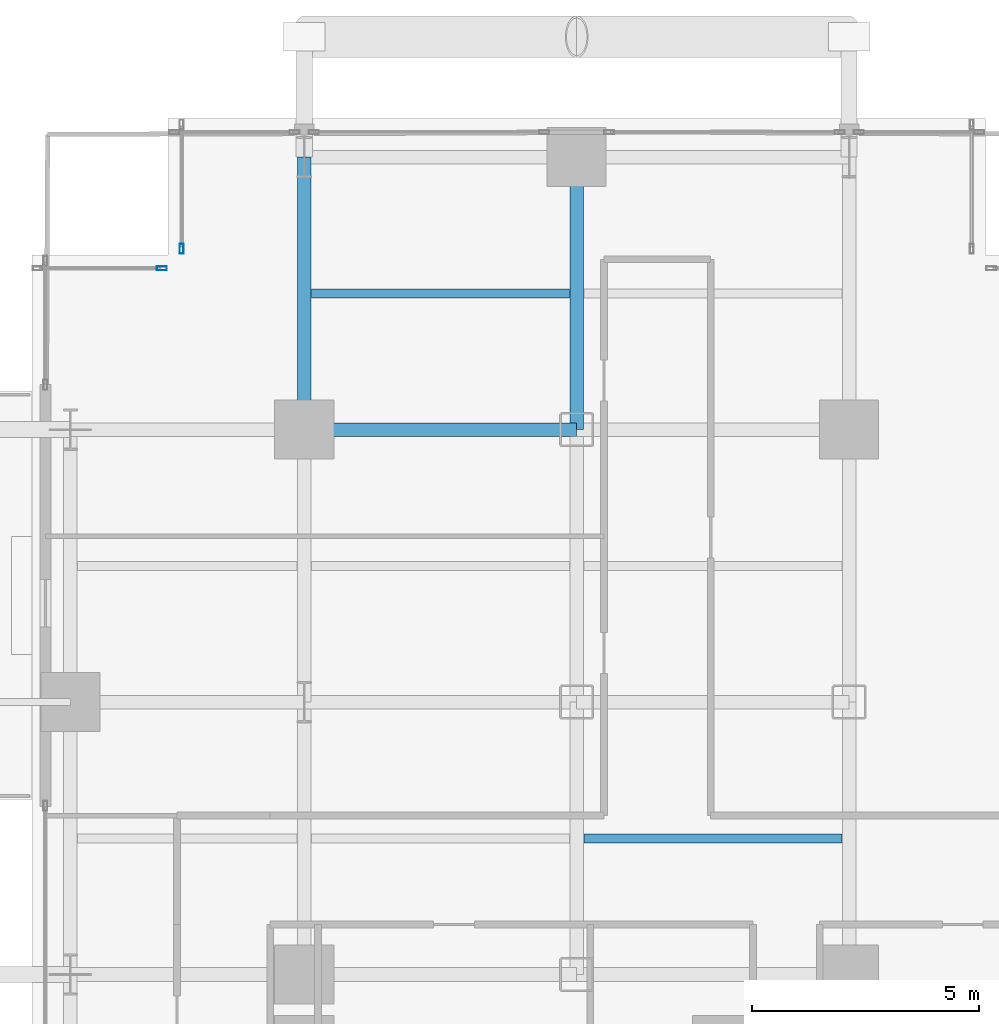
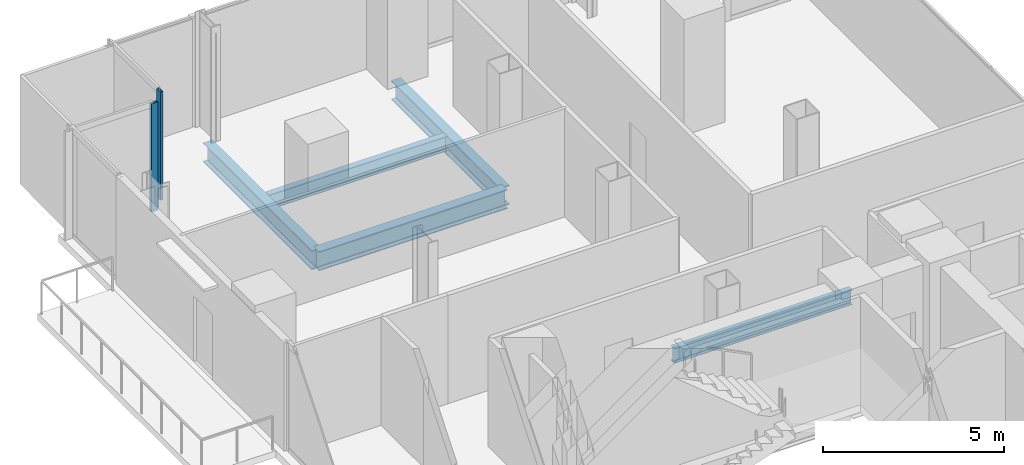
# One storey, part 14 of 27: 5 beams, 2 members, 2 elements without a shape of their own.
"""IFC4 building model written with IfcOpenShell, lengths in metres."""

from ifc_helpers import new_model, si_unit, direction, frame, origin, origin_2d, place, context, subcontext, project, spatial, hollow_rectangle, i_section, extrude, material, layer, layer_set, material_profile, profile_set, type_object, element, aggregate, save


model = new_model("IFC4")

# Units and contexts
model_context = context("Model", 3, precision=1e-05, world=origin(), true_north=direction((0.0, 1.0)))
body_context = subcontext(model_context, "Body", "Model", "MODEL_VIEW")
ifc_project = project(units=[si_unit("LENGTHUNIT", "METRE"), si_unit("AREAUNIT", "SQUARE_METRE"), si_unit("VOLUMEUNIT", "CUBIC_METRE"), si_unit("PLANEANGLEUNIT", "RADIAN"), si_unit("MASSUNIT", "GRAM", prefix="KILO"), si_unit("THERMODYNAMICTEMPERATUREUNIT", "KELVIN"), si_unit("POWERUNIT", "WATT")], contexts=[model_context])

# Site, building, storey
site_placement = place(None, origin())
site = spatial("IfcSite", under=ifc_project, at=site_placement, CompositionType="ELEMENT")
building_placement = place(site_placement, origin())
building = spatial("IfcBuilding", under=site, at=building_placement, Name="Svarakhadi Broadcast Tower", CompositionType="ELEMENT")
storey_placement = place(building_placement, frame((0.0, 0.0, 40.199951171875)))
storey = spatial("IfcBuildingStorey", under=building, at=storey_placement, Name="L08", CompositionType="ELEMENT", Elevation=40.199951171875)

# Beams
ifc_material_1 = material(Name="Steel S355J2 (IS 2062 E350C)", Category="steel")
ifc_material_profile_1 = material_profile(ifc_material_1, i_section(OverallWidth=0.199951171875, OverallDepth=0.5, WebThickness=0.01025390625, FlangeThickness=0.01611328125, FilletRadius=0.02099609375, at=origin_2d()), Name="NPB 500x200x91")
ifc_profile_set_1 = profile_set([ifc_material_profile_1], Name="Steel S355J2 (IS 2062 E350C)")
beam_type_1 = type_object("IfcBeamType", Name="Beam_NPB500", PredefinedType="BEAM", material=ifc_profile_set_1)
for number, where, z_axis, x_axis, name in (
    (1, (6.159912109375, 44.14990234375, -0.5), (1.0, 0.0, 0.0), (0.0, 1.0, 0.0), "L08 Secondary Composite Beam SB012"),
    (2, (12.159912109375, 32.14990234375, -0.5), (1.0, 0.0, 0.0), (0.0, 1.0, 0.0), "L08 Secondary Composite Beam SB016"),
):
    element("IfcBeam", number, at=place(storey_placement, frame(where, z_axis=z_axis, x_axis=x_axis)), inside=storey, type_object=beam_type_1, Name=name, PredefinedType="BEAM", context=body_context, shape_type="SweptSolid", body=[
        extrude(i_section(OverallWidth=0.199951171875, OverallDepth=0.5, WebThickness=0.01025390625, FlangeThickness=0.01611328125, FilletRadius=0.02099609375, at=origin_2d()), origin(), (0.0, 0.0, 1.0), 5.68017578125),
    ])

# Curtain wall, member
ifc_material_2 = material(Name="Anodised Bronze Aluminium AA 6063-T6", Category="aluminium")
ifc_layer = layer(ifc_material_2, 0.219970703125)
ifc_layer_set = layer_set([ifc_layer], Name="Anodised Bronze Aluminium AA 6063-T6")
curtain_wall_type = type_object("IfcCurtainWallType", Name="CW_Sys_02", PredefinedType="NOTDEFINED", material=ifc_layer_set)
curtain_wall_1_placement = place(storey_placement, origin())
curtain_wall_1 = element("IfcCurtainWall", 3, at=curtain_wall_1_placement, inside=storey, type_object=curtain_wall_type, Name="L08 Unitised Facade Curtain Wall 04", PredefinedType="NOTDEFINED")
ifc_material_profile_2 = material_profile(ifc_material_2, hollow_rectangle(XDim=0.0849609375, YDim=0.219970703125, WallThickness=0.006103515625, at=origin_2d()), Name="ALU MULLION 220x85x6")
ifc_profile_set_2 = profile_set([ifc_material_profile_2], Name="Anodised Bronze Aluminium AA 6063-T6")
member_type = type_object("IfcMemberType", Name="CW_Sys_02_Mul", PredefinedType="MULLION", material=ifc_profile_set_2)
member_1_placement = place(storey_placement, frame((2.867431640625, 44.699951171875, 0.0), z_axis=(0.0, 0.0, 1.0), x_axis=(0.0, 1.0, 0.0)))
member_1 = element("IfcMember", 4, at=member_1_placement, type_object=member_type, Name="CW-02 mullion 2", PredefinedType="MULLION", context=body_context, shape_type="SweptSolid", body=[
    extrude(hollow_rectangle(XDim=0.0849609375, YDim=0.219970703125, WallThickness=0.006103515625, at=origin_2d()), origin(), (0.0, 0.0, 1.0), 3.650146484375),
])
aggregate(curtain_wall_1, [member_1])

curtain_wall_2_placement = place(storey_placement, origin())
curtain_wall_2 = element("IfcCurtainWall", 5, at=curtain_wall_2_placement, inside=storey, type_object=curtain_wall_type, Name="L08 Unitised Facade Curtain Wall 05", PredefinedType="NOTDEFINED")
member_2_placement = place(storey_placement, frame((3.300048828125, 45.132568359375, 0.0), z_axis=(0.0, 0.0, 1.0), x_axis=(-1.0, 0.0, 0.0)))
member_2 = element("IfcMember", 6, at=member_2_placement, type_object=member_type, Name="CW-02 mullion 1", PredefinedType="MULLION", context=body_context, shape_type="SweptSolid", body=[
    extrude(hollow_rectangle(XDim=0.0849609375, YDim=0.219970703125, WallThickness=0.006103515625, at=origin_2d()), origin(), (0.0, 0.0, 1.0), 3.650146484375),
])
aggregate(curtain_wall_2, [member_2])

# Beams
ifc_material_profile_3 = material_profile(ifc_material_1, i_section(OverallWidth=0.300048828125, OverallDepth=0.64990234375, WebThickness=0.01611328125, FlangeThickness=0.031005859375, FilletRadius=0.027099609375, at=origin_2d()), Name="WPB 650x300x225")
ifc_profile_set_3 = profile_set([ifc_material_profile_3], Name="Steel S355J2 (IS 2062 E350C)")
beam_type_2 = type_object("IfcBeamType", Name="Girder_WPB650", PredefinedType="USERDEFINED", material=ifc_profile_set_3)
for number, where, z_axis, x_axis, name in (
    (7, (6.0, 41.14990234375, -0.574951171875), (1.0, 0.0, 0.0), (0.0, 1.0, 0.0), "L08 Primary E-W Girder G041"),
    (8, (6.0, 41.14990234375, -0.574951171875), (0.0, 1.0, 0.0), (-1.0, 0.0, 0.0), "L08 Primary N-S Girder G057"),
    (9, (12.0, 41.14990234375, -0.574951171875), (0.0, 1.0, 0.0), (-1.0, 0.0, 0.0), "L08 Primary N-S Girder G063"),
):
    element("IfcBeam", number, at=place(storey_placement, frame(where, z_axis=z_axis, x_axis=x_axis)), inside=storey, type_object=beam_type_2, Name=name, ObjectType="GIRDER", PredefinedType="USERDEFINED", context=body_context, shape_type="SweptSolid", body=[
        extrude(i_section(OverallWidth=0.300048828125, OverallDepth=0.64990234375, WebThickness=0.01611328125, FlangeThickness=0.031005859375, FilletRadius=0.027099609375, at=origin_2d()), origin(), (0.0, 0.0, 1.0), 6.0),
    ])

save(model, "model.ifc")
